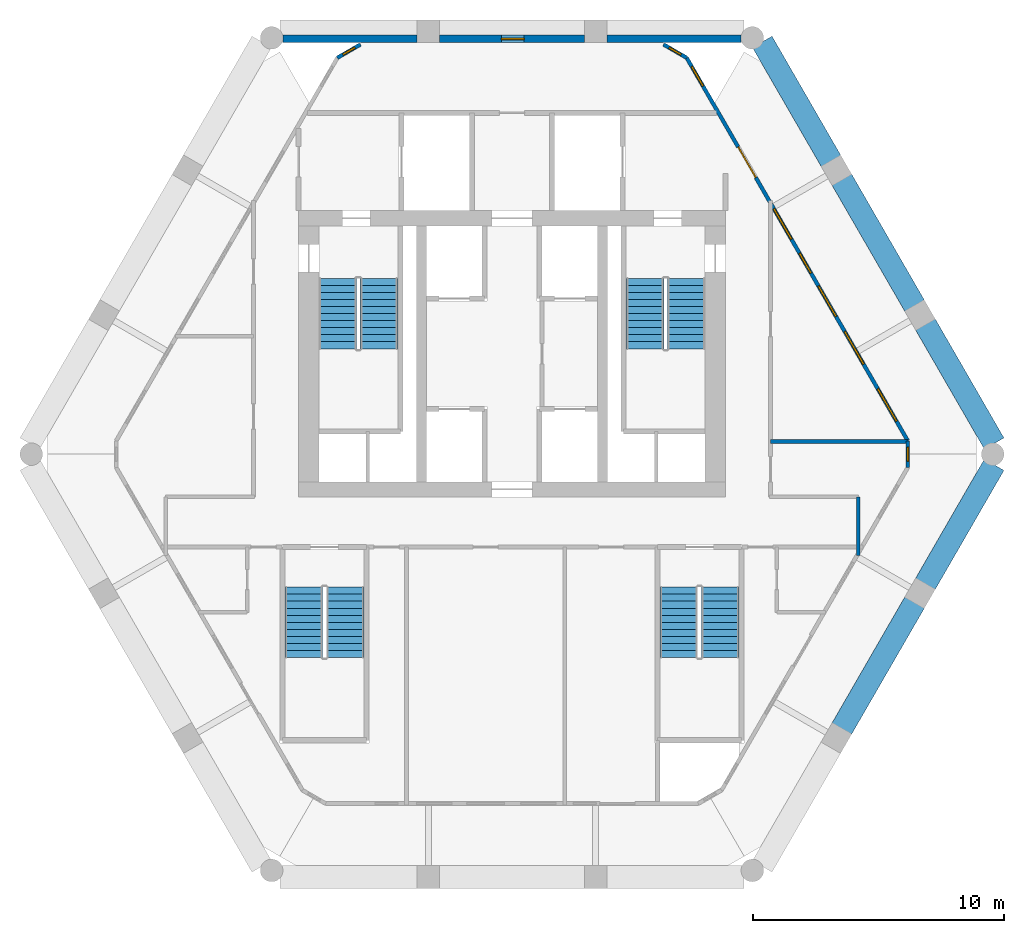
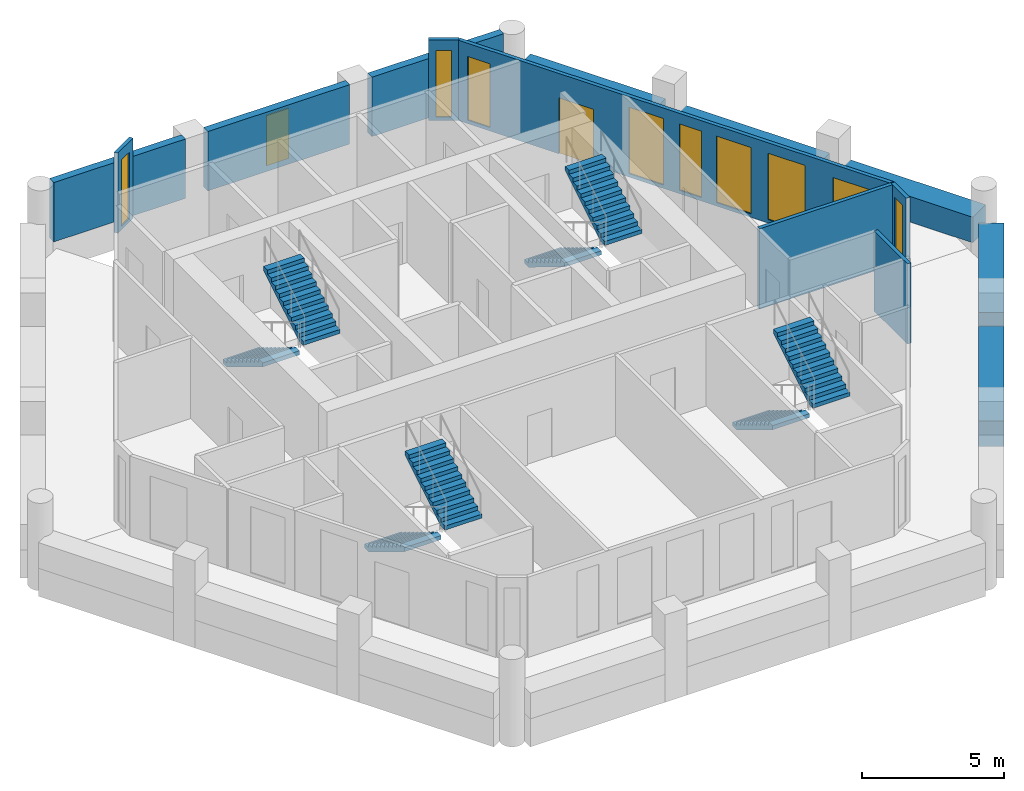
# One storey, part 5 of 6: 14 walls, 10 windows, 8 stair flights, 1 door, 11 openings, 4 elements without a shape of their own.
"""IFC4 building model written with IfcOpenShell, lengths in metres."""

from ifc_helpers import new_model, si_unit, direction, frame, frame_2d, origin, place, context, subcontext, project, spatial, polyline, rectangle, outline, extrude, material, layer, layer_set, type_object, element, fill, aggregate, save


model = new_model("IFC4")

# Units and contexts
model_context = context("Model", 3, precision=1e-05, world=origin(), true_north=direction((0.0, 1.0)))
body_context = subcontext(model_context, "Body", "Model", "MODEL_VIEW")
ifc_project = project(units=[si_unit("LENGTHUNIT", "METRE"), si_unit("AREAUNIT", "SQUARE_METRE"), si_unit("VOLUMEUNIT", "CUBIC_METRE"), si_unit("PLANEANGLEUNIT", "RADIAN"), si_unit("MASSUNIT", "GRAM", prefix="KILO")], contexts=[model_context])

# Site, building, storey
site_placement = place(None, origin())
site = spatial("IfcSite", under=ifc_project, at=site_placement, CompositionType="ELEMENT")
building_placement = place(site_placement, origin())
building = spatial("IfcBuilding", under=site, at=building_placement, Name="Ostrander Bayou Hotel Tower", CompositionType="ELEMENT")
storey_placement = place(building_placement, frame((0.0, 0.0, 218.25)))
storey = spatial("IfcBuildingStorey", under=building, at=storey_placement, Name="L54", CompositionType="ELEMENT", Elevation=218.25)

# Wall, openings, door, windows
ifc_material_1 = material(Name="Aluminium framed insulated wall", Category="aluminium")
ifc_layer_1 = layer(ifc_material_1, 0.14990234375)
ifc_layer_set_1 = layer_set([ifc_layer_1], Name="GW1 glass-line wall 150 mm")
wall_type_1 = type_object("IfcWallType", Name="GW1 glass-line wall 150 mm", PredefinedType="SOLIDWALL", material=ifc_layer_set_1)
wall_1_placement = place(storey_placement, frame((15.771728515625, 0.532470703125, 0.0), z_axis=(0.0, 0.0, 1.0), x_axis=(-0.49999710518, 0.866027075103, 0.0)))
wall_1 = element("IfcWall", 1, at=wall_1_placement, inside=storey, type_object=wall_type_1, Name="GW1 L54 NE 1", PredefinedType="SOLIDWALL", context=body_context, shape_type="SweptSolid", body=[
    extrude(rectangle(XDim=17.62060546875, YDim=0.14990234375, at=frame_2d((8.810302734375, 0.0))), origin(), (0.0, 0.0, 1.0), 3.449951171875),
])
opening_1_placement = place(wall_1_placement, frame((3.524658203125, 0.0, 0.14990234375)))
opening_1 = element("IfcOpeningElement", 2, at=opening_1_placement, cuts=wall_1, Name="Opening W4", PredefinedType="OPENING", context=body_context, shape_type="SweptSolid", body=[
    extrude(rectangle(XDim=1.5, YDim=2.85009765625, at=frame_2d((0.75, 1.425048828125))), frame((0.0, 0.074951171875, 0.0), z_axis=(0.0, -1.0, 0.0), x_axis=(1.0, 0.0, 0.0)), (0.0, 0.0, 1.0), 0.14990234375),
])
opening_2_placement = place(wall_1_placement, frame((5.724609375, 0.0, 0.14990234375)))
opening_2 = element("IfcOpeningElement", 3, at=opening_2_placement, cuts=wall_1, Name="Opening W14", PredefinedType="OPENING", context=body_context, shape_type="SweptSolid", body=[
    extrude(rectangle(XDim=1.39990234375, YDim=2.85009765625, at=frame_2d((0.699951171875, 1.425048828125))), frame((0.0, 0.074951171875, 0.0), z_axis=(0.0, -1.0, 0.0), x_axis=(1.0, 0.0, 0.0)), (0.0, 0.0, 1.0), 0.14990234375),
])
opening_3_placement = place(wall_1_placement, frame((7.724609375, 0.0, 0.14990234375)))
opening_3 = element("IfcOpeningElement", 4, at=opening_3_placement, cuts=wall_1, Name="Opening W18", PredefinedType="OPENING", context=body_context, shape_type="SweptSolid", body=[
    extrude(rectangle(XDim=0.89990234375, YDim=2.85009765625, at=frame_2d((0.449951171875, 1.425048828125))), frame((0.0, 0.074951171875, 0.0), z_axis=(0.0, -1.0, 0.0), x_axis=(1.0, 0.0, 0.0)), (0.0, 0.0, 1.0), 0.14990234375),
])
opening_4_placement = place(wall_1_placement, frame((9.271484375, 0.0, 0.14990234375)))
opening_4 = element("IfcOpeningElement", 5, at=opening_4_placement, cuts=wall_1, Name="Opening W14", PredefinedType="OPENING", context=body_context, shape_type="SweptSolid", body=[
    extrude(rectangle(XDim=1.39990234375, YDim=2.85009765625, at=frame_2d((0.699951171875, 1.425048828125))), frame((0.0, 0.074951171875, 0.0), z_axis=(0.0, -1.0, 0.0), x_axis=(1.0, 0.0, 0.0)), (0.0, 0.0, 1.0), 0.14990234375),
])
opening_5_placement = place(wall_1_placement, frame((12.114013671875, 0.0, 0.0)))
opening_5 = element("IfcOpeningElement", 6, at=opening_5_placement, cuts=wall_1, Name="Opening T53-803", PredefinedType="OPENING", context=body_context, shape_type="SweptSolid", body=[
    extrude(rectangle(XDim=1.39990234375, YDim=2.39990234375, at=frame_2d((0.699951171875, 1.199951171875))), frame((0.0, 0.074951171875, 0.0), z_axis=(0.0, -1.0, 0.0), x_axis=(1.0, 0.0, 0.0)), (0.0, 0.0, 1.0), 0.14990234375),
])
opening_6_placement = place(wall_1_placement, frame((0.89404296875, 0.0, 0.14990234375)))
opening_6 = element("IfcOpeningElement", 7, at=opening_6_placement, cuts=wall_1, Name="Opening W4", PredefinedType="OPENING", context=body_context, shape_type="SweptSolid", body=[
    extrude(rectangle(XDim=1.5, YDim=2.72998046875, at=frame_2d((0.75, 1.364990234375))), frame((0.0, 0.074951171875, 0.0), z_axis=(0.0, -1.0, 0.0), x_axis=(1.0, 0.0, 0.0)), (0.0, 0.0, 1.0), 0.14990234375),
])
opening_7_placement = place(wall_1_placement, frame((16.32275390625, 0.0, 0.14990234375)))
opening_7 = element("IfcOpeningElement", 8, at=opening_7_placement, cuts=wall_1, Name="Opening W18", PredefinedType="OPENING", context=body_context, shape_type="SweptSolid", body=[
    extrude(rectangle(XDim=0.89990234375, YDim=2.72998046875, at=frame_2d((0.449951171875, 1.364990234375))), frame((0.0, 0.074951171875, 0.0), z_axis=(0.0, -1.0, 0.0), x_axis=(1.0, 0.0, 0.0)), (0.0, 0.0, 1.0), 0.14990234375),
])
ifc_material_2 = material(Name="Aluminium and clear glass", Category="aluminium")
door_type = type_object("IfcDoorType", Name="SD4 sliding glass door 1400 mm, zone 4", OperationType="SLIDING_TO_LEFT", PredefinedType="DOOR", material=ifc_material_2)
door_placement = place(opening_5_placement, origin())
door = element("IfcDoor", 9, at=door_placement, inside=storey, type_object=door_type, Name="SD4 L54 NE 4", OperationType="SLIDING_TO_RIGHT", OverallHeight=2.39990234375, OverallWidth=1.39990234375, PredefinedType="DOOR", context=body_context, shape_type="SweptSolid", body=[
    extrude(rectangle(XDim=1.39990234375, YDim=2.39990234375, at=frame_2d((0.699951171875, 1.199951171875))), frame((0.0, 0.02490234375, 0.0), z_axis=(0.0, -1.0, 0.0), x_axis=(1.0, 0.0, 0.0)), (0.0, 0.0, 1.0), 0.050048828125),
])
fill(opening_5, door)
ifc_material_3 = material(Name="Aluminium and clear glass", Category="aluminium")
window_type_1 = type_object("IfcWindowType", Name="W14 fixed window 1400 mm, bath bay, zone 4", PartitioningType="SINGLE_PANEL", PredefinedType="WINDOW", material=ifc_material_3)
window_1_placement = place(opening_2_placement, origin())
window_1 = element("IfcWindow", 10, at=window_1_placement, inside=storey, type_object=window_type_1, Name="W14 L54 NE 2", OverallHeight=2.85009765625, OverallWidth=1.39990234375, PartitioningType="SINGLE_PANEL", PredefinedType="WINDOW", context=body_context, shape_type="SweptSolid", body=[
    extrude(rectangle(XDim=1.39990234375, YDim=2.85009765625, at=frame_2d((0.699951171875, 1.425048828125))), frame((0.0, 0.030029296875, 0.0), z_axis=(0.0, -1.0, 0.0), x_axis=(1.0, 0.0, 0.0)), (0.0, 0.0, 1.0), 0.06005859375),
])
fill(opening_2, window_1)
window_2_placement = place(opening_4_placement, origin())
window_2 = element("IfcWindow", 11, at=window_2_placement, inside=storey, type_object=window_type_1, Name="W14 L54 NE 3", OverallHeight=2.85009765625, OverallWidth=1.39990234375, PartitioningType="SINGLE_PANEL", PredefinedType="WINDOW", context=body_context, shape_type="SweptSolid", body=[
    extrude(rectangle(XDim=1.39990234375, YDim=2.85009765625, at=frame_2d((0.699951171875, 1.425048828125))), frame((0.0, 0.030029296875, 0.0), z_axis=(0.0, -1.0, 0.0), x_axis=(1.0, 0.0, 0.0)), (0.0, 0.0, 1.0), 0.06005859375),
])
fill(opening_4, window_2)
ifc_material_4 = material(Name="Aluminium and clear glass", Category="aluminium")
window_type_2 = type_object("IfcWindowType", Name="W18 window 900 mm, zone 4", PartitioningType="SINGLE_PANEL", PredefinedType="WINDOW", material=ifc_material_4)
window_3_placement = place(opening_3_placement, origin())
window_3 = element("IfcWindow", 12, at=window_3_placement, inside=storey, type_object=window_type_2, Name="W18 L54 NE 3", OverallHeight=2.85009765625, OverallWidth=0.89990234375, PartitioningType="SINGLE_PANEL", PredefinedType="WINDOW", context=body_context, shape_type="SweptSolid", body=[
    extrude(rectangle(XDim=0.89990234375, YDim=2.85009765625, at=frame_2d((0.449951171875, 1.425048828125))), frame((0.0, 0.030029296875, 0.0), z_axis=(0.0, -1.0, 0.0), x_axis=(1.0, 0.0, 0.0)), (0.0, 0.0, 1.0), 0.06005859375),
])
fill(opening_3, window_3)
window_4_placement = place(opening_7_placement, origin())
window_4 = element("IfcWindow", 13, at=window_4_placement, inside=storey, type_object=window_type_2, Name="W18 L54 NE E21", OverallHeight=2.72998046875, OverallWidth=0.89990234375, PartitioningType="SINGLE_PANEL", PredefinedType="WINDOW", context=body_context, shape_type="SweptSolid", body=[
    extrude(rectangle(XDim=0.89990234375, YDim=2.72998046875, at=frame_2d((0.449951171875, 1.364990234375))), frame((0.0, 0.030029296875, 0.0), z_axis=(0.0, -1.0, 0.0), x_axis=(1.0, 0.0, 0.0)), (0.0, 0.0, 1.0), 0.06005859375),
])
fill(opening_7, window_4)
ifc_material_5 = material(Name="Aluminium and clear glass", Category="aluminium")
window_type_3 = type_object("IfcWindowType", Name="W4 fixed window 1500 mm, zone 4", PartitioningType="SINGLE_PANEL", PredefinedType="WINDOW", material=ifc_material_5)
window_5_placement = place(opening_1_placement, origin())
window_5 = element("IfcWindow", 14, at=window_5_placement, inside=storey, type_object=window_type_3, Name="W4 L54 NE 2", OverallHeight=2.85009765625, OverallWidth=1.5, PartitioningType="SINGLE_PANEL", PredefinedType="WINDOW", context=body_context, shape_type="SweptSolid", body=[
    extrude(rectangle(XDim=1.5, YDim=2.85009765625, at=frame_2d((0.75, 1.425048828125))), frame((0.0, 0.030029296875, 0.0), z_axis=(0.0, -1.0, 0.0), x_axis=(1.0, 0.0, 0.0)), (0.0, 0.0, 1.0), 0.06005859375),
])
fill(opening_1, window_5)
window_6_placement = place(opening_6_placement, origin())
window_6 = element("IfcWindow", 15, at=window_6_placement, inside=storey, type_object=window_type_3, Name="W4 L54 NE E11", OverallHeight=2.72998046875, OverallWidth=1.5, PartitioningType="SINGLE_PANEL", PredefinedType="WINDOW", context=body_context, shape_type="SweptSolid", body=[
    extrude(rectangle(XDim=1.5, YDim=2.72998046875, at=frame_2d((0.75, 1.364990234375))), frame((0.0, 0.030029296875, 0.0), z_axis=(0.0, -1.0, 0.0), x_axis=(1.0, 0.0, 0.0)), (0.0, 0.0, 1.0), 0.06005859375),
])
fill(opening_6, window_6)

# Wall, opening, window
wall_2_placement = place(storey_placement, frame((-6.0390625, 16.324951171875, 0.0), z_axis=(0.0, 0.0, 1.0), x_axis=(-0.866048165231, -0.499960573946, 0.0)))
wall_2 = element("IfcWall", 16, at=wall_2_placement, inside=storey, type_object=wall_type_1, Name="GW1 L54 corner 1", PredefinedType="SOLIDWALL", context=body_context, shape_type="SweptSolid", body=[
    extrude(rectangle(XDim=1.06494140625, YDim=0.14990234375, at=frame_2d((0.532470703125, 0.0))), origin(), (0.0, 0.0, 1.0), 3.449951171875),
])
opening_8_placement = place(wall_2_placement, frame((0.257568359375, 0.0, 0.14990234375)))
opening_8 = element("IfcOpeningElement", 17, at=opening_8_placement, cuts=wall_2, Name="Opening W19", PredefinedType="OPENING", context=body_context, shape_type="SweptSolid", body=[
    extrude(rectangle(XDim=0.550048828125, YDim=2.85009765625, at=frame_2d((0.27490234375, 1.425048828125))), frame((0.0, 0.074951171875, 0.0), z_axis=(0.0, -1.0, 0.0), x_axis=(1.0, 0.0, 0.0)), (0.0, 0.0, 1.0), 0.14990234375),
])
ifc_material_6 = material(Name="Aluminium and clear glass", Category="aluminium")
window_type_4 = type_object("IfcWindowType", Name="W19 corner window 550 mm", PartitioningType="SINGLE_PANEL", PredefinedType="WINDOW", material=ifc_material_6)
window_7_placement = place(opening_8_placement, origin())
window_7 = element("IfcWindow", 18, at=window_7_placement, inside=storey, type_object=window_type_4, Name="W19 L54 corner 1", OverallHeight=2.85009765625, OverallWidth=0.550048828125, PartitioningType="SINGLE_PANEL", PredefinedType="WINDOW", context=body_context, shape_type="SweptSolid", body=[
    extrude(rectangle(XDim=0.550048828125, YDim=2.85009765625, at=frame_2d((0.27490234375, 1.425048828125))), frame((0.0, 0.030029296875, 0.0), z_axis=(0.0, -1.0, 0.0), x_axis=(1.0, 0.0, 0.0)), (0.0, 0.0, 1.0), 0.06005859375),
])
fill(opening_8, window_7)

wall_3_placement = place(storey_placement, frame((15.771728515625, -0.532470703125, 0.0), z_axis=(0.0, 0.0, 1.0), x_axis=(0.0, 1.0, 0.0)))
wall_3 = element("IfcWall", 19, at=wall_3_placement, inside=storey, type_object=wall_type_1, Name="GW1 L54 corner 5", PredefinedType="SOLIDWALL", context=body_context, shape_type="SweptSolid", body=[
    extrude(rectangle(XDim=1.06494140625, YDim=0.14990234375, at=frame_2d((0.532470703125, 0.0))), origin(), (0.0, 0.0, 1.0), 3.449951171875),
])
opening_9_placement = place(wall_3_placement, frame((0.257568359375, 0.0, 0.14990234375)))
opening_9 = element("IfcOpeningElement", 20, at=opening_9_placement, cuts=wall_3, Name="Opening W19", PredefinedType="OPENING", context=body_context, shape_type="SweptSolid", body=[
    extrude(rectangle(XDim=0.550048828125, YDim=2.85009765625, at=frame_2d((0.27490234375, 1.425048828125))), frame((0.0, 0.074951171875, 0.0), z_axis=(0.0, -1.0, 0.0), x_axis=(1.0, 0.0, 0.0)), (0.0, 0.0, 1.0), 0.14990234375),
])
window_8_placement = place(opening_9_placement, origin())
window_8 = element("IfcWindow", 21, at=window_8_placement, inside=storey, type_object=window_type_4, Name="W19 L54 corner 5", OverallHeight=2.85009765625, OverallWidth=0.550048828125, PartitioningType="SINGLE_PANEL", PredefinedType="WINDOW", context=body_context, shape_type="SweptSolid", body=[
    extrude(rectangle(XDim=0.550048828125, YDim=2.85009765625, at=frame_2d((0.27490234375, 1.425048828125))), frame((0.0, 0.030029296875, 0.0), z_axis=(0.0, -1.0, 0.0), x_axis=(1.0, 0.0, 0.0)), (0.0, 0.0, 1.0), 0.06005859375),
])
fill(opening_9, window_8)

wall_4_placement = place(storey_placement, frame((6.96142578125, 15.79248046875, 0.0), z_axis=(0.0, 0.0, 1.0), x_axis=(-0.866048165231, 0.499960573946, 0.0)))
wall_4 = element("IfcWall", 22, at=wall_4_placement, inside=storey, type_object=wall_type_1, Name="GW1 L54 corner 6", PredefinedType="SOLIDWALL", context=body_context, shape_type="SweptSolid", body=[
    extrude(rectangle(XDim=1.06494140625, YDim=0.14990234375, at=frame_2d((0.532470703125, 0.0))), origin(), (0.0, 0.0, 1.0), 3.449951171875),
])
opening_10_placement = place(wall_4_placement, frame((0.257568359375, 0.0, 0.14990234375)))
opening_10 = element("IfcOpeningElement", 23, at=opening_10_placement, cuts=wall_4, Name="Opening W19", PredefinedType="OPENING", context=body_context, shape_type="SweptSolid", body=[
    extrude(rectangle(XDim=0.550048828125, YDim=2.85009765625, at=frame_2d((0.27490234375, 1.425048828125))), frame((0.0, 0.074951171875, 0.0), z_axis=(0.0, -1.0, 0.0), x_axis=(1.0, 0.0, 0.0)), (0.0, 0.0, 1.0), 0.14990234375),
])
window_9_placement = place(opening_10_placement, origin())
window_9 = element("IfcWindow", 24, at=window_9_placement, inside=storey, type_object=window_type_4, Name="W19 L54 corner 6", OverallHeight=2.85009765625, OverallWidth=0.550048828125, PartitioningType="SINGLE_PANEL", PredefinedType="WINDOW", context=body_context, shape_type="SweptSolid", body=[
    extrude(rectangle(XDim=0.550048828125, YDim=2.85009765625, at=frame_2d((0.27490234375, 1.425048828125))), frame((0.0, 0.030029296875, 0.0), z_axis=(0.0, -1.0, 0.0), x_axis=(1.0, 0.0, 0.0)), (0.0, 0.0, 1.0), 0.06005859375),
])
fill(opening_10, window_9)

# Wall
ifc_material_7 = material(Name="Reconstituted stone on masonry backing", Category="masonry")
ifc_layer_2 = layer(ifc_material_7, 0.300048828125)
ifc_layer_set_2 = layer_set([ifc_layer_2], Name="NW1 north stone wall 300 mm")
wall_type_2 = type_object("IfcWallType", Name="NW1 north stone wall 300 mm", PredefinedType="SOLIDWALL", material=ifc_layer_set_2)
wall_5_placement = place(storey_placement, frame((9.13134765625, 16.550048828125, 0.0), z_axis=(0.0, 0.0, 1.0), x_axis=(-1.0, 0.0, 0.0)))
element("IfcWall", 25, at=wall_5_placement, inside=storey, type_object=wall_type_2, Name="NW1 L54 N-1", PredefinedType="SOLIDWALL", context=body_context, shape_type="SweptSolid", body=[
    extrude(rectangle(XDim=5.35205078125, YDim=0.300048828125, at=frame_2d((2.676025390625, 0.0))), origin(), (0.0, 0.0, 1.0), 2.550048828125),
])

# Wall, opening, window
wall_6_placement = place(storey_placement, frame((2.87939453125, 16.550048828125, 0.0), z_axis=(0.0, 0.0, 1.0), x_axis=(-1.0, 0.0, 0.0)))
wall_6 = element("IfcWall", 26, at=wall_6_placement, inside=storey, type_object=wall_type_2, Name="NW1 L54 N-2", PredefinedType="SOLIDWALL", context=body_context, shape_type="SweptSolid", body=[
    extrude(rectangle(XDim=5.7587890625, YDim=0.300048828125, at=frame_2d((2.87939453125, 0.0))), origin(), (0.0, 0.0, 1.0), 2.550048828125),
])
opening_11_placement = place(wall_6_placement, frame((2.39990234375, 0.0, 0.14990234375)))
opening_11 = element("IfcOpeningElement", 27, at=opening_11_placement, cuts=wall_6, Name="Opening W18", PredefinedType="OPENING", context=body_context, shape_type="SweptSolid", body=[
    extrude(rectangle(XDim=0.89990234375, YDim=2.14990234375, at=frame_2d((0.449951171875, 1.074951171875))), frame((0.0, 0.14990234375, 0.0), z_axis=(0.0, -1.0, 0.0), x_axis=(1.0, 0.0, 0.0)), (0.0, 0.0, 1.0), 0.300048828125),
])
window_10_placement = place(opening_11_placement, origin())
window_10 = element("IfcWindow", 28, at=window_10_placement, inside=storey, type_object=window_type_2, Name="W18 L54 north N-2", OverallHeight=2.14990234375, OverallWidth=0.89990234375, PartitioningType="SINGLE_PANEL", PredefinedType="WINDOW", context=body_context, shape_type="SweptSolid", body=[
    extrude(rectangle(XDim=0.89990234375, YDim=2.14990234375, at=frame_2d((0.449951171875, 1.074951171875))), frame((0.0, 0.030029296875, 0.0), z_axis=(0.0, -1.0, 0.0), x_axis=(1.0, 0.0, 0.0)), (0.0, 0.0, 1.0), 0.06005859375),
])
fill(opening_11, window_10)

# Walls
wall_7_placement = place(storey_placement, frame((-3.779296875, 16.550048828125, 0.0), z_axis=(0.0, 0.0, 1.0), x_axis=(-1.0, 0.0, 0.0)))
element("IfcWall", 29, at=wall_7_placement, inside=storey, type_object=wall_type_2, Name="NW1 L54 N-3", PredefinedType="SOLIDWALL", context=body_context, shape_type="SweptSolid", body=[
    extrude(rectangle(XDim=5.35205078125, YDim=0.300048828125, at=frame_2d((2.676025390625, 0.0))), origin(), (0.0, 0.0, 1.0), 2.550048828125),
])
ifc_material_8 = material(Name="Concrete f'c 40 MPa", Category="concrete")
ifc_layer_3 = layer(ifc_material_8, 0.89990234375)
ifc_layer_set_3 = layer_set([ifc_layer_3], Name="PA1 stone-faced parapet 900 mm")
wall_type_3 = type_object("IfcWallType", Name="PA1 stone-faced parapet 900 mm", PredefinedType="PARAPET", material=ifc_layer_set_3)
wall_8_placement = place(storey_placement, frame((19.213134765625, 0.422119140625, 0.0), z_axis=(0.0, 0.0, 1.0), x_axis=(-0.50000722722, 0.866021231107, 0.0)))
element("IfcWall", 30, at=wall_8_placement, inside=storey, type_object=wall_type_3, Name="PA1 L54 NE-1", PredefinedType="PARAPET", context=body_context, shape_type="SweptSolid", body=[
    extrude(rectangle(XDim=5.49169921875, YDim=0.89990234375, at=frame_2d((2.745849609375, 0.0))), origin(), (0.0, 0.0, 1.0), 1.10009765625),
])
wall_9_placement = place(storey_placement, frame((16.047119140625, 5.905517578125, 0.0), z_axis=(0.0, 0.0, 1.0), x_axis=(-0.500015433515, 0.866016493057, 0.0)))
element("IfcWall", 31, at=wall_9_placement, inside=storey, type_object=wall_type_3, Name="PA1 L54 NE-2", PredefinedType="PARAPET", context=body_context, shape_type="SweptSolid", body=[
    extrude(rectangle(XDim=5.818603515625, YDim=0.89990234375, at=frame_2d((2.9091796875, 0.0))), origin(), (0.0, 0.0, 1.0), 1.10009765625),
])
wall_10_placement = place(storey_placement, frame((12.7177734375, 11.672119140625, 0.0), z_axis=(0.0, 0.0, 1.0), x_axis=(-0.50000722722, 0.866021231107, 0.0)))
element("IfcWall", 32, at=wall_10_placement, inside=storey, type_object=wall_type_3, Name="PA1 L54 NE-3", PredefinedType="PARAPET", context=body_context, shape_type="SweptSolid", body=[
    extrude(rectangle(XDim=5.49169921875, YDim=0.89990234375, at=frame_2d((2.745849609375, 0.0))), origin(), (0.0, 0.0, 1.0), 1.10009765625),
])
ifc_material_9 = material(Name="Limestone masonry", Category="masonry")
ifc_layer_4 = layer(ifc_material_9, 0.89990234375)
ifc_layer_set_4 = layer_set([ifc_layer_4], Name="PA2 limestone parapet 900 mm")
wall_type_4 = type_object("IfcWallType", Name="PA2 limestone parapet 900 mm", PredefinedType="PARAPET", material=ifc_layer_set_4)
wall_11_placement = place(storey_placement, frame((13.1376953125, -10.944580078125, 0.0), z_axis=(0.0, 0.0, 1.0), x_axis=(0.500015433515, 0.866016493057, 0.0)))
element("IfcWall", 33, at=wall_11_placement, inside=storey, type_object=wall_type_4, Name="PA2 L54 SE-2", PredefinedType="PARAPET", context=body_context, shape_type="SweptSolid", body=[
    extrude(rectangle(XDim=5.818603515625, YDim=0.89990234375, at=frame_2d((2.9091796875, 0.0))), origin(), (0.0, 0.0, 1.0), 1.10009765625),
])
wall_12_placement = place(storey_placement, frame((16.46728515625, -5.177978515625, 0.0), z_axis=(0.0, 0.0, 1.0), x_axis=(0.50000722722, 0.866021231107, 0.0)))
element("IfcWall", 34, at=wall_12_placement, inside=storey, type_object=wall_type_4, Name="PA2 L54 SE-3", PredefinedType="PARAPET", context=body_context, shape_type="SweptSolid", body=[
    extrude(rectangle(XDim=5.49169921875, YDim=0.89990234375, at=frame_2d((2.745849609375, 0.0))), origin(), (0.0, 0.0, 1.0), 1.10009765625),
])
ifc_material_10 = material(Name="Gypsum board partition", Category="finish")
ifc_layer_5 = layer(ifc_material_10, 0.14990234375)
ifc_layer_set_5 = layer_set([ifc_layer_5], Name="PT8 service band wall 150 mm, 1 hour")
wall_type_5 = type_object("IfcWallType", Name="PT8 service band wall 150 mm, 1 hour", PredefinedType="PARTITIONING", material=ifc_layer_set_5)
wall_13_placement = place(storey_placement, frame((10.300048828125, 0.5, 0.0), z_axis=(0.0, 0.0, 1.0), x_axis=(1.0, 0.0, 0.0)))
element("IfcWall", 35, at=wall_13_placement, inside=storey, type_object=wall_type_5, Name="gw:L54:008", PredefinedType="PARTITIONING", context=body_context, shape_type="SweptSolid", body=[
    extrude(rectangle(XDim=5.489013671875, YDim=0.14990234375, at=frame_2d((2.74462890625, 0.0))), origin(), (0.0, 0.0, 1.0), 3.449951171875),
])
wall_14_placement = place(storey_placement, frame((13.800048828125, -4.0380859375, 0.0), z_axis=(0.0, 0.0, 1.0), x_axis=(0.0, 1.0, 0.0)))
element("IfcWall", 36, at=wall_14_placement, inside=storey, type_object=wall_type_5, Name="gw:L54:010", PredefinedType="PARTITIONING", context=body_context, shape_type="SweptSolid", body=[
    extrude(rectangle(XDim=2.338134765625, YDim=0.14990234375, at=frame_2d((1.1689453125, 0.0))), origin(), (0.0, 0.0, 1.0), 3.449951171875),
])

# Stair, stair flights
ifc_material_11 = material(Name="Concrete f'c 45 MPa", Category="concrete")
stair_type = type_object("IfcStairType", Name="ST1 exit stair 1500 mm f'c 45 MPa", PredefinedType="HALF_TURN_STAIR", material=ifc_material_11)
stair_1_placement = place(storey_placement, origin())
stair_1 = element("IfcStair", 37, at=stair_1_placement, inside=storey, type_object=stair_type, Name="L54 exit stair A", PredefinedType="HALF_TURN_STAIR")
ifc_material_12 = material(Name="Concrete f'c 45 MPa", Category="concrete")
stair_flight_type = type_object("IfcStairFlightType", Name="SF1 stair flight 1500 mm f'c 45 MPa", PredefinedType="STRAIGHT", material=ifc_material_12)
stair_flight_1_placement = place(storey_placement, frame((-6.949951171875, 7.0, 0.0), z_axis=(0.0, 0.0, 1.0), x_axis=(0.0, -1.0, 0.0)))
stair_flight_1 = element("IfcStairFlight", 38, at=stair_flight_1_placement, type_object=stair_flight_type, Name="STA flight 1", NumberOfRisers=11, NumberOfTreads=10, PredefinedType="STRAIGHT", RiserHeight=0.170454545, TreadLength=0.28, context=body_context, shape_type="SweptSolid", body=[
    extrude(outline(polyline([(0.0, 0.0), (0.0, 0.17041015625), (0.280029296875, 0.17041015625), (0.280029296875, 0.3408203125), (0.56005859375, 0.3408203125), (0.56005859375, 0.511474609375), (0.840087890625, 0.511474609375), (0.840087890625, 0.681884765625), (1.1201171875, 0.681884765625), (1.1201171875, 0.852294921875), (1.39990234375, 0.852294921875), (1.39990234375, 1.022705078125), (1.679931640625, 1.022705078125), (1.679931640625, 1.193115234375), (1.9599609375, 1.193115234375), (1.9599609375, 1.363525390625), (2.239990234375, 1.363525390625), (2.239990234375, 1.5341796875), (2.52001953125, 1.5341796875), (2.52001953125, 1.70458984375), (2.800048828125, 1.70458984375), (2.800048828125, 1.875), (2.800048828125, 1.529052734375), (0.288330078125, 0.0), (0.0, 0.0)])), frame((0.0, 0.75, 0.0), z_axis=(0.0, -1.0, 0.0), x_axis=(1.0, 0.0, 0.0)), (0.0, 0.0, 1.0), 1.5),
])
stair_flight_2_placement = place(storey_placement, frame((-5.300048828125, 4.199951171875, 1.875), z_axis=(0.0, 0.0, 1.0), x_axis=(0.0, 1.0, 0.0)))
stair_flight_2 = element("IfcStairFlight", 39, at=stair_flight_2_placement, type_object=stair_flight_type, Name="STA flight 2", NumberOfRisers=11, NumberOfTreads=10, PredefinedType="STRAIGHT", RiserHeight=0.170454545, TreadLength=0.28, context=body_context, shape_type="SweptSolid", body=[
    extrude(outline(polyline([(0.0, 0.0), (0.0, 0.17041015625), (0.280029296875, 0.17041015625), (0.280029296875, 0.3408203125), (0.56005859375, 0.3408203125), (0.56005859375, 0.511474609375), (0.840087890625, 0.511474609375), (0.840087890625, 0.681884765625), (1.1201171875, 0.681884765625), (1.1201171875, 0.852294921875), (1.39990234375, 0.852294921875), (1.39990234375, 1.022705078125), (1.679931640625, 1.022705078125), (1.679931640625, 1.193115234375), (1.9599609375, 1.193115234375), (1.9599609375, 1.363525390625), (2.239990234375, 1.363525390625), (2.239990234375, 1.5341796875), (2.52001953125, 1.5341796875), (2.52001953125, 1.70458984375), (2.800048828125, 1.70458984375), (2.800048828125, 1.875), (2.800048828125, 1.529052734375), (0.288330078125, 0.0), (0.0, 0.0)])), frame((0.0, 0.75, 0.0), z_axis=(0.0, -1.0, 0.0), x_axis=(1.0, 0.0, 0.0)), (0.0, 0.0, 1.0), 1.5),
])
aggregate(stair_1, [stair_flight_1, stair_flight_2])

stair_2_placement = place(storey_placement, origin())
stair_2 = element("IfcStair", 40, at=stair_2_placement, inside=storey, type_object=stair_type, Name="L54 exit stair B", PredefinedType="HALF_TURN_STAIR")
stair_flight_3_placement = place(storey_placement, frame((5.300048828125, 7.0, 0.0), z_axis=(0.0, 0.0, 1.0), x_axis=(0.0, -1.0, 0.0)))
stair_flight_3 = element("IfcStairFlight", 41, at=stair_flight_3_placement, type_object=stair_flight_type, Name="STB flight 1", NumberOfRisers=11, NumberOfTreads=10, PredefinedType="STRAIGHT", RiserHeight=0.170454545, TreadLength=0.28, context=body_context, shape_type="SweptSolid", body=[
    extrude(outline(polyline([(0.0, 0.0), (0.0, 0.17041015625), (0.280029296875, 0.17041015625), (0.280029296875, 0.3408203125), (0.56005859375, 0.3408203125), (0.56005859375, 0.511474609375), (0.840087890625, 0.511474609375), (0.840087890625, 0.681884765625), (1.1201171875, 0.681884765625), (1.1201171875, 0.852294921875), (1.39990234375, 0.852294921875), (1.39990234375, 1.022705078125), (1.679931640625, 1.022705078125), (1.679931640625, 1.193115234375), (1.9599609375, 1.193115234375), (1.9599609375, 1.363525390625), (2.239990234375, 1.363525390625), (2.239990234375, 1.5341796875), (2.52001953125, 1.5341796875), (2.52001953125, 1.70458984375), (2.800048828125, 1.70458984375), (2.800048828125, 1.875), (2.800048828125, 1.529052734375), (0.288330078125, 0.0), (0.0, 0.0)])), frame((0.0, 0.75, 0.0), z_axis=(0.0, -1.0, 0.0), x_axis=(1.0, 0.0, 0.0)), (0.0, 0.0, 1.0), 1.5),
])
stair_flight_4_placement = place(storey_placement, frame((6.949951171875, 4.199951171875, 1.875), z_axis=(0.0, 0.0, 1.0), x_axis=(0.0, 1.0, 0.0)))
stair_flight_4 = element("IfcStairFlight", 42, at=stair_flight_4_placement, type_object=stair_flight_type, Name="STB flight 2", NumberOfRisers=11, NumberOfTreads=10, PredefinedType="STRAIGHT", RiserHeight=0.170454545, TreadLength=0.28, context=body_context, shape_type="SweptSolid", body=[
    extrude(outline(polyline([(0.0, 0.0), (0.0, 0.17041015625), (0.280029296875, 0.17041015625), (0.280029296875, 0.3408203125), (0.56005859375, 0.3408203125), (0.56005859375, 0.511474609375), (0.840087890625, 0.511474609375), (0.840087890625, 0.681884765625), (1.1201171875, 0.681884765625), (1.1201171875, 0.852294921875), (1.39990234375, 0.852294921875), (1.39990234375, 1.022705078125), (1.679931640625, 1.022705078125), (1.679931640625, 1.193115234375), (1.9599609375, 1.193115234375), (1.9599609375, 1.363525390625), (2.239990234375, 1.363525390625), (2.239990234375, 1.5341796875), (2.52001953125, 1.5341796875), (2.52001953125, 1.70458984375), (2.800048828125, 1.70458984375), (2.800048828125, 1.875), (2.800048828125, 1.529052734375), (0.288330078125, 0.0), (0.0, 0.0)])), frame((0.0, 0.75, 0.0), z_axis=(0.0, -1.0, 0.0), x_axis=(1.0, 0.0, 0.0)), (0.0, 0.0, 1.0), 1.5),
])
aggregate(stair_2, [stair_flight_3, stair_flight_4])

stair_3_placement = place(storey_placement, origin())
stair_3 = element("IfcStair", 43, at=stair_3_placement, inside=storey, type_object=stair_type, Name="L54 exit stair C", PredefinedType="HALF_TURN_STAIR")
stair_flight_5_placement = place(storey_placement, frame((6.64990234375, -5.300048828125, 0.0), z_axis=(0.0, 0.0, 1.0), x_axis=(0.0, -1.0, 0.0)))
stair_flight_5 = element("IfcStairFlight", 44, at=stair_flight_5_placement, type_object=stair_flight_type, Name="STC flight 1", NumberOfRisers=11, NumberOfTreads=10, PredefinedType="STRAIGHT", RiserHeight=0.170454545, TreadLength=0.28, context=body_context, shape_type="SweptSolid", body=[
    extrude(outline(polyline([(0.0, 0.0), (0.0, 0.17041015625), (0.280029296875, 0.17041015625), (0.280029296875, 0.3408203125), (0.56005859375, 0.3408203125), (0.56005859375, 0.511474609375), (0.840087890625, 0.511474609375), (0.840087890625, 0.681884765625), (1.1201171875, 0.681884765625), (1.1201171875, 0.852294921875), (1.39990234375, 0.852294921875), (1.39990234375, 1.022705078125), (1.679931640625, 1.022705078125), (1.679931640625, 1.193115234375), (1.9599609375, 1.193115234375), (1.9599609375, 1.363525390625), (2.239990234375, 1.363525390625), (2.239990234375, 1.5341796875), (2.52001953125, 1.5341796875), (2.52001953125, 1.70458984375), (2.800048828125, 1.70458984375), (2.800048828125, 1.875), (2.800048828125, 1.529052734375), (0.288330078125, 0.0), (0.0, 0.0)])), frame((0.0, 0.75, 0.0), z_axis=(0.0, -1.0, 0.0), x_axis=(1.0, 0.0, 0.0)), (0.0, 0.0, 1.0), 1.5),
])
stair_flight_6_placement = place(storey_placement, frame((8.300048828125, -8.10009765625, 1.875), z_axis=(0.0, 0.0, 1.0), x_axis=(0.0, 1.0, 0.0)))
stair_flight_6 = element("IfcStairFlight", 45, at=stair_flight_6_placement, type_object=stair_flight_type, Name="STC flight 2", NumberOfRisers=11, NumberOfTreads=10, PredefinedType="STRAIGHT", RiserHeight=0.170454545, TreadLength=0.28, context=body_context, shape_type="SweptSolid", body=[
    extrude(outline(polyline([(0.0, 0.0), (0.0, 0.17041015625), (0.280029296875, 0.17041015625), (0.280029296875, 0.3408203125), (0.56005859375, 0.3408203125), (0.56005859375, 0.511474609375), (0.840087890625, 0.511474609375), (0.840087890625, 0.681884765625), (1.1201171875, 0.681884765625), (1.1201171875, 0.852294921875), (1.39990234375, 0.852294921875), (1.39990234375, 1.022705078125), (1.679931640625, 1.022705078125), (1.679931640625, 1.193115234375), (1.9599609375, 1.193115234375), (1.9599609375, 1.363525390625), (2.239990234375, 1.363525390625), (2.239990234375, 1.5341796875), (2.52001953125, 1.5341796875), (2.52001953125, 1.70458984375), (2.800048828125, 1.70458984375), (2.800048828125, 1.875), (2.800048828125, 1.529052734375), (0.288330078125, 0.0), (0.0, 0.0)])), frame((0.0, 0.75, 0.0), z_axis=(0.0, -1.0, 0.0), x_axis=(1.0, 0.0, 0.0)), (0.0, 0.0, 1.0), 1.5),
])
aggregate(stair_3, [stair_flight_5, stair_flight_6])

stair_4_placement = place(storey_placement, origin())
stair_4 = element("IfcStair", 46, at=stair_4_placement, inside=storey, type_object=stair_type, Name="L54 exit stair D", PredefinedType="HALF_TURN_STAIR")
stair_flight_7_placement = place(storey_placement, frame((-8.300048828125, -5.300048828125, 0.0), z_axis=(0.0, 0.0, 1.0), x_axis=(0.0, -1.0, 0.0)))
stair_flight_7 = element("IfcStairFlight", 47, at=stair_flight_7_placement, type_object=stair_flight_type, Name="STD flight 1", NumberOfRisers=11, NumberOfTreads=10, PredefinedType="STRAIGHT", RiserHeight=0.170454545, TreadLength=0.28, context=body_context, shape_type="SweptSolid", body=[
    extrude(outline(polyline([(0.0, 0.0), (0.0, 0.17041015625), (0.280029296875, 0.17041015625), (0.280029296875, 0.3408203125), (0.56005859375, 0.3408203125), (0.56005859375, 0.511474609375), (0.840087890625, 0.511474609375), (0.840087890625, 0.681884765625), (1.1201171875, 0.681884765625), (1.1201171875, 0.852294921875), (1.39990234375, 0.852294921875), (1.39990234375, 1.022705078125), (1.679931640625, 1.022705078125), (1.679931640625, 1.193115234375), (1.9599609375, 1.193115234375), (1.9599609375, 1.363525390625), (2.239990234375, 1.363525390625), (2.239990234375, 1.5341796875), (2.52001953125, 1.5341796875), (2.52001953125, 1.70458984375), (2.800048828125, 1.70458984375), (2.800048828125, 1.875), (2.800048828125, 1.529052734375), (0.288330078125, 0.0), (0.0, 0.0)])), frame((0.0, 0.75, 0.0), z_axis=(0.0, -1.0, 0.0), x_axis=(1.0, 0.0, 0.0)), (0.0, 0.0, 1.0), 1.5),
])
stair_flight_8_placement = place(storey_placement, frame((-6.64990234375, -8.10009765625, 1.875), z_axis=(0.0, 0.0, 1.0), x_axis=(0.0, 1.0, 0.0)))
stair_flight_8 = element("IfcStairFlight", 48, at=stair_flight_8_placement, type_object=stair_flight_type, Name="STD flight 2", NumberOfRisers=11, NumberOfTreads=10, PredefinedType="STRAIGHT", RiserHeight=0.170454545, TreadLength=0.28, context=body_context, shape_type="SweptSolid", body=[
    extrude(outline(polyline([(0.0, 0.0), (0.0, 0.17041015625), (0.280029296875, 0.17041015625), (0.280029296875, 0.3408203125), (0.56005859375, 0.3408203125), (0.56005859375, 0.511474609375), (0.840087890625, 0.511474609375), (0.840087890625, 0.681884765625), (1.1201171875, 0.681884765625), (1.1201171875, 0.852294921875), (1.39990234375, 0.852294921875), (1.39990234375, 1.022705078125), (1.679931640625, 1.022705078125), (1.679931640625, 1.193115234375), (1.9599609375, 1.193115234375), (1.9599609375, 1.363525390625), (2.239990234375, 1.363525390625), (2.239990234375, 1.5341796875), (2.52001953125, 1.5341796875), (2.52001953125, 1.70458984375), (2.800048828125, 1.70458984375), (2.800048828125, 1.875), (2.800048828125, 1.529052734375), (0.288330078125, 0.0), (0.0, 0.0)])), frame((0.0, 0.75, 0.0), z_axis=(0.0, -1.0, 0.0), x_axis=(1.0, 0.0, 0.0)), (0.0, 0.0, 1.0), 1.5),
])
aggregate(stair_4, [stair_flight_7, stair_flight_8])

save(model, "model.ifc")
